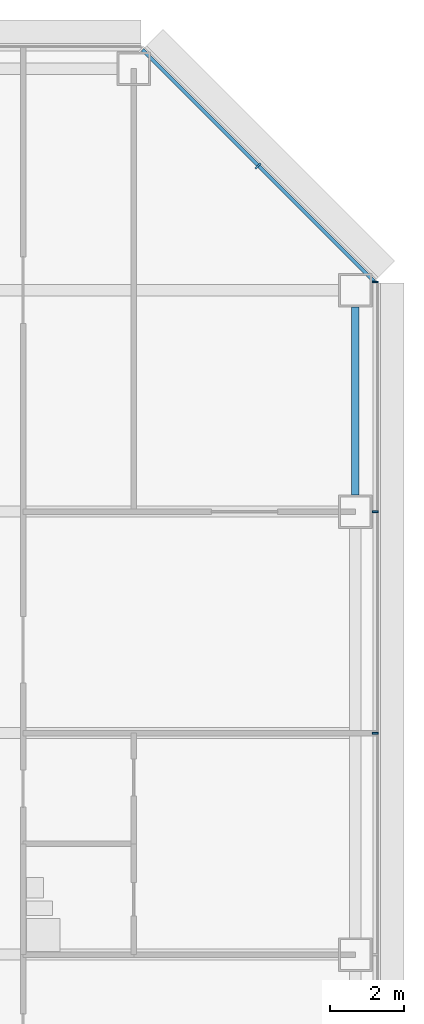
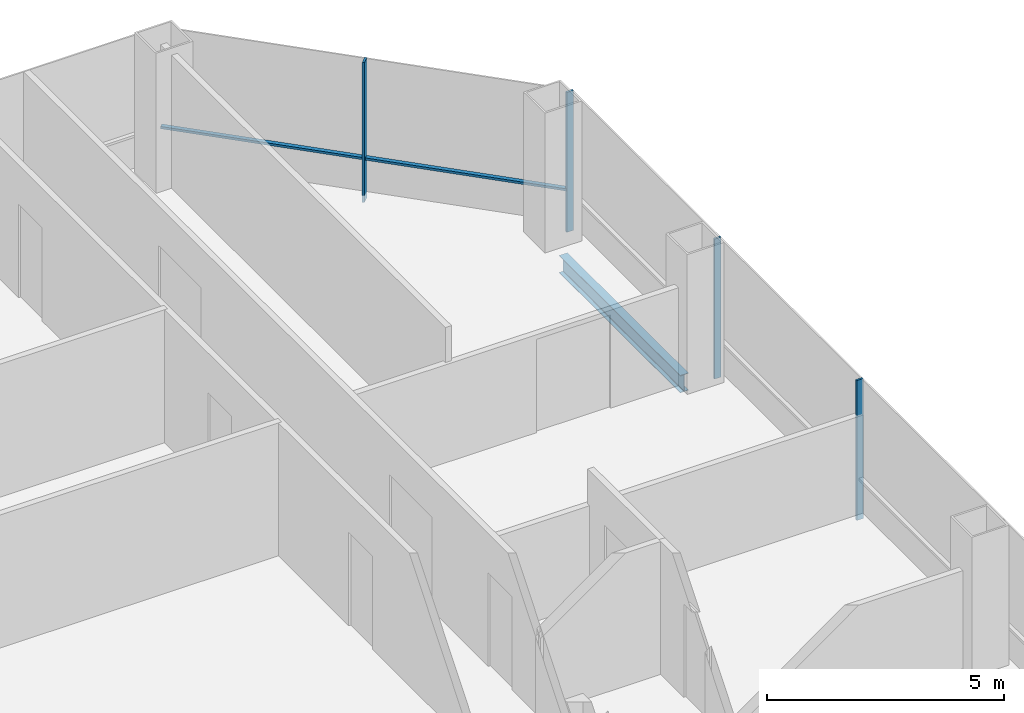
# One storey, part 18 of 27: 5 members, 1 beam, 2 elements without a shape of their own.
"""IFC4 building model written with IfcOpenShell, lengths in metres."""

from ifc_helpers import new_model, si_unit, direction, frame, origin, origin_2d, place, context, subcontext, project, spatial, rectangle, i_section, extrude, material, material_profile, profile_set, type_object, element, aggregate, save


model = new_model("IFC4")

# Units and contexts
model_context = context("Model", 3, precision=1e-05, world=origin(), true_north=direction((0.0, 1.0)))
body_context = subcontext(model_context, "Body", "Model", "MODEL_VIEW")
ifc_project = project(units=[si_unit("LENGTHUNIT", "METRE"), si_unit("AREAUNIT", "SQUARE_METRE"), si_unit("VOLUMEUNIT", "CUBIC_METRE"), si_unit("PLANEANGLEUNIT", "RADIAN"), si_unit("MASSUNIT", "GRAM", prefix="KILO")], contexts=[model_context])

# Site, building, storey
site_placement = place(None, origin())
site = spatial("IfcSite", under=ifc_project, at=site_placement, CompositionType="ELEMENT")
building_placement = place(site_placement, origin())
building = spatial("IfcBuilding", under=site, at=building_placement, Name="Sorahane Residences", CompositionType="ELEMENT")
storey_placement = place(building_placement, frame((0.0, 0.0, 53.39990234375)))
storey = spatial("IfcBuildingStorey", under=building, at=storey_placement, Name="L09", CompositionType="ELEMENT", Elevation=53.39990234375)

# Curtain wall, members
ifc_material_1 = material(Name="Dark low-e glass and black anodised aluminium", Category="aluminium")
curtain_wall_type_1 = type_object("IfcCurtainWallType", Name="Curtain wall CW-1 Typical unitised wall", PredefinedType="NOTDEFINED", material=ifc_material_1)
curtain_wall_1_placement = place(storey_placement, origin())
curtain_wall_1 = element("IfcCurtainWall", 1, at=curtain_wall_1_placement, inside=storey, type_object=curtain_wall_type_1, Name="CW-1 curtain wall L09 E1", PredefinedType="NOTDEFINED")
ifc_material_2 = material(Name="Black anodised aluminium", Category="aluminium")
ifc_material_profile_1 = material_profile(ifc_material_2, rectangle(XDim=0.159912109375, YDim=0.050048828125, at=origin_2d()), Name="Curtain wall mullion CW-1 black anodised aluminium 50x160")
ifc_profile_set_1 = profile_set([ifc_material_profile_1], Name="Black anodised aluminium")
member_type_1 = type_object("IfcMemberType", Name="Curtain wall mullion CW-1 black anodised aluminium 50x160", PredefinedType="MULLION", material=ifc_profile_set_1)
member_1_placement = place(storey_placement, frame((66.5400390625, 30.0, -0.179931640625), z_axis=(0.0, 0.0, 1.0), x_axis=(1.0, 0.0, 0.0)))
member_1 = element("IfcMember", 2, at=member_1_placement, type_object=member_type_1, Name="CW-1 mullion L09 E1.5", PredefinedType="MULLION", context=body_context, shape_type="SweptSolid", body=[
    extrude(rectangle(XDim=0.159912109375, YDim=0.050048828125, at=origin_2d()), origin(), (0.0, 0.0, 1.0), 3.60009765625),
])
member_2_placement = place(storey_placement, frame((66.5400390625, 36.0, -0.179931640625), z_axis=(0.0, 0.0, 1.0), x_axis=(1.0, 0.0, 0.0)))
member_2 = element("IfcMember", 3, at=member_2_placement, type_object=member_type_1, Name="CW-1 mullion L09 E1.6", PredefinedType="MULLION", context=body_context, shape_type="SweptSolid", body=[
    extrude(rectangle(XDim=0.159912109375, YDim=0.050048828125, at=origin_2d()), origin(), (0.0, 0.0, 1.0), 3.60009765625),
])
member_3_placement = place(storey_placement, frame((66.5400390625, 42.2236328125, -0.179931640625), z_axis=(0.0, 0.0, 1.0), x_axis=(1.0, 0.0, 0.0)))
member_3 = element("IfcMember", 4, at=member_3_placement, type_object=member_type_1, Name="CW-1 mullion L09 E1.7", PredefinedType="MULLION", context=body_context, shape_type="SweptSolid", body=[
    extrude(rectangle(XDim=0.159912109375, YDim=0.050048828125, at=origin_2d()), origin(), (0.0, 0.0, 1.0), 3.60009765625),
])
aggregate(curtain_wall_1, [member_1, member_2, member_3])

ifc_material_3 = material(Name="Dark low-e glass and black anodised aluminium", Category="aluminium")
curtain_wall_type_2 = type_object("IfcCurtainWallType", Name="Curtain wall CW-2 Chamfer unitised wall", PredefinedType="NOTDEFINED", material=ifc_material_3)
curtain_wall_2_placement = place(storey_placement, origin())
curtain_wall_2 = element("IfcCurtainWall", 5, at=curtain_wall_2_placement, inside=storey, type_object=curtain_wall_type_2, Name="CW-2 curtain wall L09 NE1", PredefinedType="NOTDEFINED")
ifc_material_4 = material(Name="Black anodised aluminium", Category="aluminium")
ifc_material_profile_2 = material_profile(ifc_material_4, rectangle(XDim=0.199951171875, YDim=0.050048828125, at=origin_2d()), Name="Curtain wall mullion CW-2 black anodised aluminium 50x200")
ifc_profile_set_2 = profile_set([ifc_material_profile_2], Name="Black anodised aluminium")
member_type_2 = type_object("IfcMemberType", Name="Curtain wall mullion CW-2 black anodised aluminium 50x200", PredefinedType="MULLION", material=ifc_profile_set_2)
member_4_placement = place(storey_placement, frame((63.36767578125, 45.36767578125, -0.179931640625), z_axis=(0.0, 0.0, 1.0), x_axis=(0.707106781187, 0.707106781187, 0.0)))
member_4 = element("IfcMember", 6, at=member_4_placement, type_object=member_type_2, Name="CW-2 mullion L09 NE1.2", PredefinedType="MULLION", context=body_context, shape_type="SweptSolid", body=[
    extrude(rectangle(XDim=0.199951171875, YDim=0.050048828125, at=origin_2d()), origin(), (0.0, 0.0, 1.0), 3.60009765625),
])
ifc_material_5 = material(Name="Black anodised aluminium", Category="aluminium")
ifc_material_profile_3 = material_profile(ifc_material_5, rectangle(XDim=0.10009765625, YDim=0.06005859375, at=origin_2d()), Name="Curtain wall transom CW-2 black anodised aluminium 60x100")
ifc_profile_set_3 = profile_set([ifc_material_profile_3], Name="Black anodised aluminium")
member_type_3 = type_object("IfcMemberType", Name="Curtain wall transom CW-2 black anodised aluminium 60x100", PredefinedType="USERDEFINED", material=ifc_profile_set_3)
member_5_placement = place(storey_placement, frame((66.51513671875, 42.234375, 0.900146484375), z_axis=(-0.707106781187, 0.707106781187, 0.0), x_axis=(-0.707106781187, -0.707106781187, 0.0)))
member_5 = element("IfcMember", 7, at=member_5_placement, type_object=member_type_3, Name="CW-2 transom L09 NE1", ObjectType="TRANSOM", PredefinedType="USERDEFINED", context=body_context, shape_type="SweptSolid", body=[
    extrude(rectangle(XDim=0.10009765625, YDim=0.06005859375, at=origin_2d()), origin(), (0.0, 0.0, 1.0), 8.88232421875),
])
aggregate(curtain_wall_2, [member_4, member_5])

# Beam
ifc_material_6 = material(Name="Steel Q355B", Category="steel")
ifc_material_profile_4 = material_profile(ifc_material_6, i_section(OverallWidth=0.199951171875, OverallDepth=0.449951171875, WebThickness=0.009033203125, FlangeThickness=0.013916015625, FilletRadius=0.02001953125, at=origin_2d()), Name="HN 450x200x9x14")
ifc_profile_set_4 = profile_set([ifc_material_profile_4], Name="Steel Q355B")
beam_type = type_object("IfcBeamType", Name="Steel floor beam HN 450x200x9x14 Q355B", PredefinedType="BEAM", material=ifc_profile_set_4)
beam_placement = place(storey_placement, frame((66.0, 36.449951171875, -0.40478515625), z_axis=(0.0, 1.0, 0.0), x_axis=(-1.0, 0.0, 0.0)))
element("IfcBeam", 8, at=beam_placement, inside=storey, type_object=beam_type, Name="Beam L09 060", PredefinedType="BEAM", context=body_context, shape_type="SweptSolid", body=[
    extrude(i_section(OverallWidth=0.199951171875, OverallDepth=0.449951171875, WebThickness=0.009033203125, FlangeThickness=0.013916015625, FilletRadius=0.02001953125, at=origin_2d()), origin(), (0.0, 0.0, 1.0), 5.10009765625),
])

save(model, "model.ifc")
